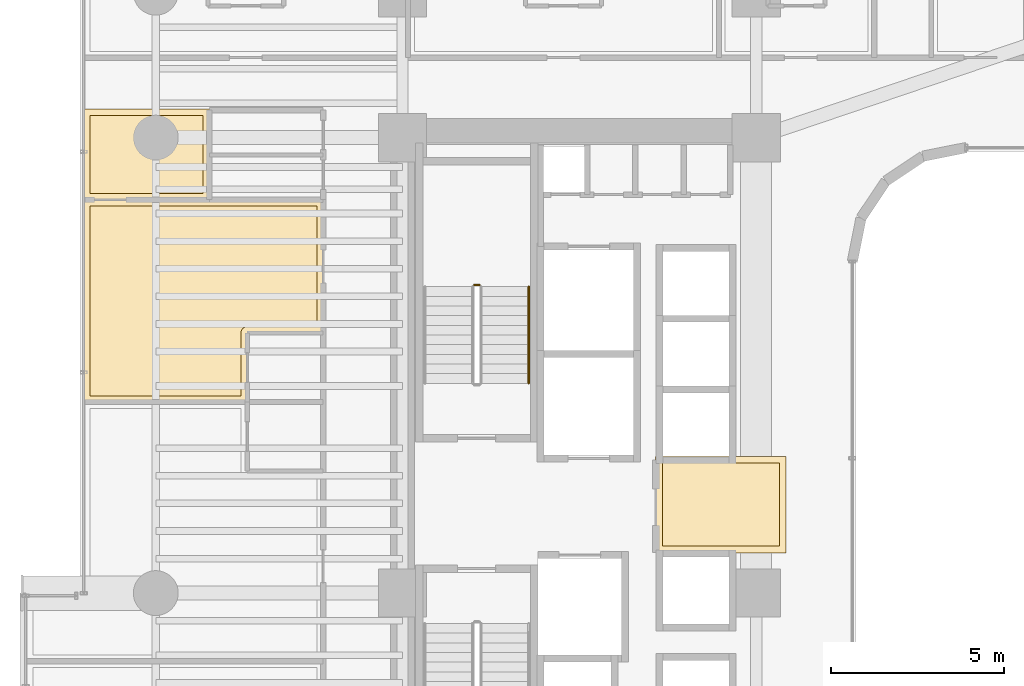
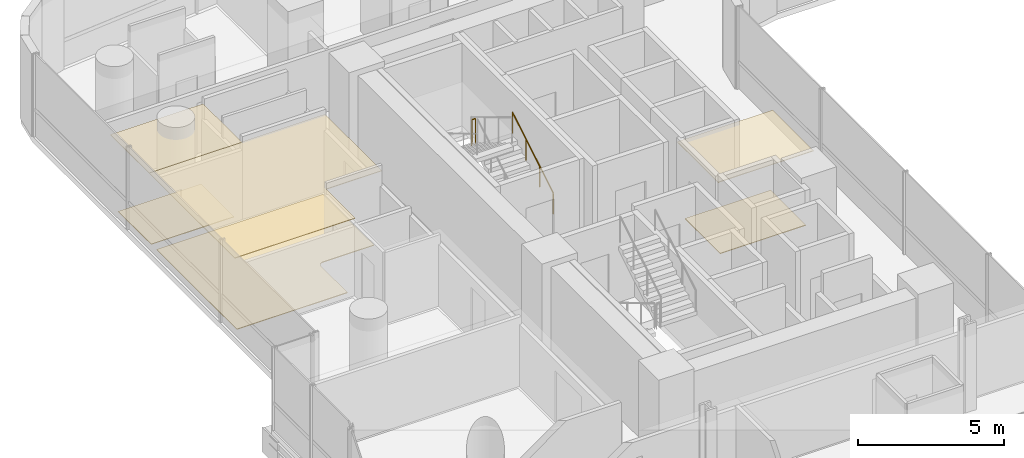
# One storey, part 37 of 40: 6 coverings, 2 railings.
"""IFC4 building model written with IfcOpenShell, lengths in metres."""

from ifc_helpers import new_model, si_unit, direction, frame, origin, origin_2d, place, context, subcontext, project, spatial, polyline, circle, outline, extrude, material, layer, layer_set, type_object, element, save


model = new_model("IFC4")

# Units and contexts
model_context = context("Model", 3, precision=1e-05, world=origin(), true_north=direction((0.0, 1.0)))
body_context = subcontext(model_context, "Body", "Model", "MODEL_VIEW")
ifc_project = project(units=[si_unit("LENGTHUNIT", "METRE"), si_unit("AREAUNIT", "SQUARE_METRE"), si_unit("VOLUMEUNIT", "CUBIC_METRE"), si_unit("PLANEANGLEUNIT", "RADIAN"), si_unit("MASSUNIT", "GRAM", prefix="KILO")], contexts=[model_context])

# Site, building, storey
site_placement = place(None, origin())
site = spatial("IfcSite", under=ifc_project, at=site_placement, CompositionType="ELEMENT")
building_placement = place(site_placement, origin())
building = spatial("IfcBuilding", under=site, at=building_placement, Name="Valdorenza Pilgrim Sanctuary Tower", CompositionType="ELEMENT")
storey_placement = place(building_placement, frame((0.0, 0.0, 92.60009765625)))
storey = spatial("IfcBuildingStorey", under=building, at=storey_placement, Name="L23", CompositionType="ELEMENT", Elevation=92.60009765625)

# Coverings
ifc_material_1 = material(Name="Micro-perforated acoustic mineral ceiling tile", Category="gypsum")
ifc_layer_1 = layer(ifc_material_1, 0.02490234375, Name="Micro-perforated acoustic mineral ceiling tile")
ifc_layer_set_1 = layer_set([ifc_layer_1], Name="Micro-perforated acoustic mineral ceiling tile")
covering_type_1 = type_object("IfcCoveringType", Name="COV-CLG-ACU", PredefinedType="CEILING", material=ifc_layer_set_1)
covering_1_placement = place(storey_placement, frame((0.0, 0.0, 3.159912109375)))
element("IfcCovering", 1, at=covering_1_placement, inside=storey, type_object=covering_type_1, Name="L23 Core A Passenger Lift Lobby Acoustic Ceiling", PredefinedType="CEILING", context=body_context, shape_type="SweptSolid", body=[
    extrude(outline(polyline([(-15.31298828125, 1.244384765625), (-15.31298828125, 1.24462890625), (-15.313720703125, 1.24609375), (-15.314208984375, 1.24755859375), (-15.314697265625, 1.2490234375), (-15.31494140625, 1.25048828125), (-15.31494140625, 1.251953125), (-15.31494140625, 1.35009765625), (-15.31494140625, 1.3515625), (-15.314697265625, 1.352783203125), (-15.314453125, 1.3544921875), (-15.31396484375, 1.355712890625), (-15.313232421875, 1.357177734375), (-15.3125, 1.3583984375), (-15.3115234375, 1.359619140625), (-15.310546875, 1.360595703125), (-15.3095703125, 1.361572265625), (-15.308349609375, 1.362548828125), (-15.30712890625, 1.36328125), (-15.3056640625, 1.364013671875), (-15.304443359375, 1.364501953125), (-15.302978515625, 1.36474609375), (-15.301513671875, 1.364990234375), (-15.300048828125, 1.364990234375), (-15.10205078125, 1.364990234375), (-15.1005859375, 1.364990234375), (-15.09912109375, 1.36474609375), (-15.097412109375, 1.3642578125), (-15.09619140625, 1.36376953125), (-15.0947265625, 1.363037109375), (-15.094482421875, 1.363037109375), (-13.185546875, 1.363037109375), (-13.185302734375, 1.363037109375), (-13.183837890625, 1.36376953125), (-13.1826171875, 1.3642578125), (-13.180908203125, 1.36474609375), (-13.179443359375, 1.364990234375), (-13.177978515625, 1.364990234375), (-11.550048828125, 1.364990234375), (-11.548583984375, 1.364990234375), (-11.547119140625, 1.36474609375), (-11.545654296875, 1.364501953125), (-11.544189453125, 1.364013671875), (-11.54296875, 1.36328125), (-11.541748046875, 1.362548828125), (-11.54052734375, 1.361572265625), (-11.539306640625, 1.360595703125), (-11.538330078125, 1.359619140625), (-11.53759765625, 1.3583984375), (-11.536865234375, 1.357177734375), (-11.5361328125, 1.355712890625), (-11.53564453125, 1.3544921875), (-11.535400390625, 1.352783203125), (-11.53515625, 1.3515625), (-11.534912109375, 1.35009765625), (-11.534912109375, -1.419921875), (-11.53515625, -1.42138671875), (-11.535400390625, -1.4228515625), (-11.53564453125, -1.42431640625), (-11.5361328125, -1.42578125), (-11.536865234375, -1.427001953125), (-11.53759765625, -1.42822265625), (-11.538330078125, -1.429443359375), (-11.539306640625, -1.4306640625), (-11.54052734375, -1.431640625), (-11.541748046875, -1.4326171875), (-11.54296875, -1.43310546875), (-11.544189453125, -1.433837890625), (-11.545654296875, -1.434326171875), (-11.547119140625, -1.434814453125), (-11.548583984375, -1.434814453125), (-11.550048828125, -1.43505859375), (-15.298095703125, -1.43505859375), (-15.299560546875, -1.434814453125), (-15.30078125, -1.434814453125), (-15.302490234375, -1.434326171875), (-15.3037109375, -1.433837890625), (-15.30517578125, -1.43310546875), (-15.306396484375, -1.4326171875), (-15.3076171875, -1.431640625), (-15.30859375, -1.4306640625), (-15.3095703125, -1.429443359375), (-15.310546875, -1.42822265625), (-15.311279296875, -1.427001953125), (-15.31201171875, -1.42578125), (-15.3125, -1.42431640625), (-15.312744140625, -1.4228515625), (-15.31298828125, -1.42138671875), (-15.31298828125, -1.419921875), (-15.31298828125, 1.244384765625)])), origin(), (0.0, 0.0, 1.0), 0.02490234375),
])
covering_2_placement = place(storey_placement, frame((0.0, 0.0, 3.159912109375)))
element("IfcCovering", 2, at=covering_2_placement, inside=storey, type_object=covering_type_1, Name="L23 Pilgrim Scholar Office L23-WN Acoustic Ceiling", PredefinedType="CEILING", context=body_context, shape_type="SweptSolid", body=[
    extrude(outline(polyline([(-28.237060546875, 11.39453125), (-28.237060546875, 10.103759765625), (-28.23681640625, 10.10302734375), (-28.23681640625, 10.1015625), (-28.23681640625, 10.10009765625), (-28.23681640625, 10.098388671875), (-28.237060546875, 10.09814453125), (-28.237060546875, 8.800048828125), (-28.237060546875, 8.798583984375), (-28.2373046875, 8.797119140625), (-28.237548828125, 8.795654296875), (-28.238037109375, 8.794189453125), (-28.23876953125, 8.79296875), (-28.239501953125, 8.791748046875), (-28.240478515625, 8.79052734375), (-28.241455078125, 8.789306640625), (-28.242431640625, 8.788330078125), (-28.24365234375, 8.78759765625), (-28.244873046875, 8.786865234375), (-28.246337890625, 8.7861328125), (-28.24755859375, 8.78564453125), (-28.2490234375, 8.785400390625), (-28.25048828125, 8.78515625), (-28.251953125, 8.784912109375), (-31.889892578125, 8.784912109375), (-31.8916015625, 8.78515625), (-31.892822265625, 8.785400390625), (-31.894287109375, 8.78564453125), (-31.895751953125, 8.7861328125), (-31.897216796875, 8.786865234375), (-31.898193359375, 8.78759765625), (-31.8994140625, 8.788330078125), (-31.900634765625, 8.789306640625), (-31.901611328125, 8.79052734375), (-31.902587890625, 8.791748046875), (-31.9033203125, 8.79296875), (-31.90380859375, 8.794189453125), (-31.904296875, 8.795654296875), (-31.90478515625, 8.797119140625), (-31.90478515625, 8.798583984375), (-31.905029296875, 8.800048828125), (-31.905029296875, 11.419921875), (-31.90478515625, 11.42138671875), (-31.90478515625, 11.4228515625), (-31.904296875, 11.42431640625), (-31.90380859375, 11.42578125), (-31.9033203125, 11.427001953125), (-31.902587890625, 11.42822265625), (-31.901611328125, 11.429443359375), (-31.900634765625, 11.4306640625), (-31.8994140625, 11.431640625), (-31.898193359375, 11.4326171875), (-31.897216796875, 11.43310546875), (-31.895751953125, 11.433837890625), (-31.894287109375, 11.434326171875), (-31.892822265625, 11.434814453125), (-31.8916015625, 11.434814453125), (-31.889892578125, 11.43505859375), (-28.25, 11.43505859375), (-28.24853515625, 11.434814453125), (-28.2470703125, 11.434814453125), (-28.24560546875, 11.434326171875), (-28.244384765625, 11.433837890625), (-28.242919921875, 11.43310546875), (-28.24169921875, 11.4326171875), (-28.240478515625, 11.431640625), (-28.239501953125, 11.4306640625), (-28.23828125, 11.429443359375), (-28.237548828125, 11.42822265625), (-28.23681640625, 11.427001953125), (-28.236083984375, 11.42578125), (-28.235595703125, 11.42431640625), (-28.2353515625, 11.4228515625), (-28.235107421875, 11.42138671875), (-28.235107421875, 11.419921875), (-28.235107421875, 11.402099609375), (-28.235107421875, 11.400390625), (-28.2353515625, 11.39892578125), (-28.235595703125, 11.3974609375), (-28.236083984375, 11.39599609375), (-28.23681640625, 11.394775390625), (-28.237060546875, 11.39453125)])), origin(), (0.0, 0.0, 1.0), 0.02490234375),
])
covering_3_placement = place(storey_placement, frame((0.0, 0.0, 3.159912109375)))
element("IfcCovering", 3, at=covering_3_placement, inside=storey, type_object=covering_type_1, Name="L23 Pilgrim Guest Room L23-HW2 Acoustic Ceiling", PredefinedType="CEILING", context=body_context, shape_type="SweptSolid", body=[
    extrude(outline(polyline([(-28.253662109375, 8.81298828125), (-28.253173828125, 8.81298828125), (-28.25146484375, 8.813232421875), (-28.25, 8.813232421875), (-28.24853515625, 8.81298828125), (-28.248291015625, 8.81298828125), (-24.949951171875, 8.81298828125), (-24.948486328125, 8.81298828125), (-24.947021484375, 8.812744140625), (-24.945556640625, 8.8125), (-24.9443359375, 8.81201171875), (-24.94287109375, 8.811279296875), (-24.941650390625, 8.810546875), (-24.9404296875, 8.8095703125), (-24.939453125, 8.80859375), (-24.9384765625, 8.8076171875), (-24.9375, 8.806396484375), (-24.936767578125, 8.80517578125), (-24.93603515625, 8.8037109375), (-24.935546875, 8.802490234375), (-24.935302734375, 8.80078125), (-24.93505859375, 8.799560546875), (-24.93505859375, 8.798095703125), (-24.93505859375, 4.93798828125), (-24.93505859375, 4.9365234375), (-24.935302734375, 4.93505859375), (-24.935546875, 4.93359375), (-24.93603515625, 4.932373046875), (-24.936767578125, 4.930908203125), (-24.9375, 4.9296875), (-24.9384765625, 4.928466796875), (-24.939453125, 4.927490234375), (-24.9404296875, 4.926513671875), (-24.941650390625, 4.925537109375), (-24.94287109375, 4.9248046875), (-24.9443359375, 4.924072265625), (-24.945556640625, 4.923583984375), (-24.947021484375, 4.92333984375), (-24.948486328125, 4.923095703125), (-24.949951171875, 4.923095703125), (-27.136962890625, 4.923095703125), (-27.136962890625, 2.93798828125), (-27.13720703125, 2.9365234375), (-27.13720703125, 2.93505859375), (-27.1376953125, 2.93359375), (-27.13818359375, 2.932373046875), (-27.138916015625, 2.930908203125), (-27.139404296875, 2.9296875), (-27.140380859375, 2.928466796875), (-27.141357421875, 2.927490234375), (-27.142578125, 2.926513671875), (-27.143798828125, 2.925537109375), (-27.14501953125, 2.9248046875), (-27.146240234375, 2.924072265625), (-27.147705078125, 2.923583984375), (-27.149169921875, 2.92333984375), (-27.150390625, 2.923095703125), (-27.152099609375, 2.923095703125), (-31.889892578125, 2.923095703125), (-31.8916015625, 2.923095703125), (-31.892822265625, 2.92333984375), (-31.894287109375, 2.923583984375), (-31.895751953125, 2.924072265625), (-31.897216796875, 2.9248046875), (-31.898193359375, 2.925537109375), (-31.8994140625, 2.926513671875), (-31.900634765625, 2.927490234375), (-31.901611328125, 2.928466796875), (-31.902587890625, 2.9296875), (-31.9033203125, 2.930908203125), (-31.90380859375, 2.932373046875), (-31.904296875, 2.93359375), (-31.90478515625, 2.93505859375), (-31.90478515625, 2.9365234375), (-31.905029296875, 2.93798828125), (-31.905029296875, 8.798095703125), (-31.90478515625, 8.799560546875), (-31.90478515625, 8.80078125), (-31.904296875, 8.802490234375), (-31.90380859375, 8.8037109375), (-31.9033203125, 8.80517578125), (-31.902587890625, 8.806396484375), (-31.901611328125, 8.8076171875), (-31.900634765625, 8.80859375), (-31.8994140625, 8.8095703125), (-31.898193359375, 8.810546875), (-31.897216796875, 8.811279296875), (-31.895751953125, 8.81201171875), (-31.894287109375, 8.8125), (-31.892822265625, 8.812744140625), (-31.8916015625, 8.81298828125), (-31.889892578125, 8.81298828125), (-28.253662109375, 8.81298828125)])), origin(), (0.0, 0.0, 1.0), 0.02490234375),
])
ifc_material_2 = material(Name="Engineered European oak timber flooring", Category="wood")
ifc_layer_2 = layer(ifc_material_2, 0.02197265625, Name="Engineered European oak timber flooring")
ifc_layer_set_2 = layer_set([ifc_layer_2], Name="Engineered European oak timber flooring")
covering_type_2 = type_object("IfcCoveringType", Name="COV-FLR-OAK", PredefinedType="FLOORING", material=ifc_layer_set_2)
covering_4_placement = place(storey_placement, origin())
element("IfcCovering", 4, at=covering_4_placement, inside=storey, type_object=covering_type_2, Name="L23 Pilgrim Guest Room L23-HW2 Flooring", PredefinedType="FLOORING", context=body_context, shape_type="SweptSolid", body=[
    extrude(outline(polyline([(-28.250244140625, 8.617919921875), (-28.25, 8.617919921875), (-25.1298828125, 8.617919921875), (-25.1298828125, 5.117919921875), (-27.14990234375, 5.117919921875), (-27.15869140625, 5.117919921875), (-27.158935546875, 5.117919921875), (-27.176513671875, 5.115966796875), (-27.1767578125, 5.115966796875), (-27.194091796875, 5.112548828125), (-27.1943359375, 5.112548828125), (-27.211181640625, 5.107421875), (-27.21142578125, 5.107421875), (-27.227783203125, 5.1005859375), (-27.227783203125, 5.1005859375), (-27.243408203125, 5.09228515625), (-27.24365234375, 5.092041015625), (-27.25830078125, 5.082275390625), (-27.258544921875, 5.08203125), (-27.272216796875, 5.07080078125), (-27.272216796875, 5.07080078125), (-27.284912109375, 5.058349609375), (-27.284912109375, 5.05810546875), (-27.296142578125, 5.04443359375), (-27.296142578125, 5.044189453125), (-27.30615234375, 5.029541015625), (-27.30615234375, 5.029541015625), (-27.314453125, 5.013916015625), (-27.314697265625, 5.013671875), (-27.3212890625, 4.997314453125), (-27.3212890625, 4.997314453125), (-27.326416015625, 4.980224609375), (-27.32666015625, 4.97998046875), (-27.330078125, 4.962890625), (-27.330078125, 4.962646484375), (-27.331787109375, 4.945068359375), (-27.331787109375, 4.94482421875), (-27.33203125, 4.93603515625), (-27.33203125, 3.117919921875), (-31.7099609375, 3.117919921875), (-31.7099609375, 8.617919921875), (-28.251953125, 8.617919921875), (-28.2509765625, 8.617919921875), (-28.250244140625, 8.617919921875)])), origin(), (0.0, 0.0, 1.0), 0.02490234375),
])
ifc_material_3 = material(Name="Honed travertine stone flooring", Category="masonry")
ifc_layer_3 = layer(ifc_material_3, 0.030029296875, Name="Honed travertine stone flooring")
ifc_layer_set_3 = layer_set([ifc_layer_3], Name="Honed travertine stone flooring")
covering_type_3 = type_object("IfcCoveringType", Name="COV-FLR-TRV", PredefinedType="FLOORING", material=ifc_layer_set_3)
covering_5_placement = place(storey_placement, origin())
element("IfcCovering", 5, at=covering_5_placement, inside=storey, type_object=covering_type_3, Name="L23 Core A Passenger Lift Lobby Flooring", PredefinedType="FLOORING", context=body_context, shape_type="SweptSolid", body=[
    extrude(outline(polyline([(-15.117919921875, 1.169189453125), (-15.10888671875, 1.168212890625), (-15.10888671875, 1.168212890625), (-15.10009765625, 1.16796875), (-13.179931640625, 1.16796875), (-13.1796875, 1.16796875), (-11.72998046875, 1.169921875), (-11.72998046875, -1.239990234375), (-15.117919921875, -1.239990234375), (-15.117919921875, 1.169189453125)])), origin(), (0.0, 0.0, 1.0), 0.02490234375),
])
covering_6_placement = place(storey_placement, origin())
element("IfcCovering", 6, at=covering_6_placement, inside=storey, type_object=covering_type_3, Name="L23 Pilgrim Scholar Office L23-WN Flooring", PredefinedType="FLOORING", context=body_context, shape_type="SweptSolid", body=[
    extrude(outline(polyline([(-28.431884765625, 11.239990234375), (-28.431884765625, 10.10205078125), (-28.431884765625, 10.10107421875), (-28.431884765625, 10.100341796875), (-28.431884765625, 10.10009765625), (-28.431884765625, 8.97998046875), (-31.7099609375, 8.97998046875), (-31.7099609375, 11.239990234375), (-28.431884765625, 11.239990234375)])), origin(), (0.0, 0.0, 1.0), 0.02490234375),
])

# Railings
ifc_material_4 = material(Name="Stainless steel Grade 316", Category="steel")
railing_type_1 = type_object("IfcRailingType", Name="RLG-GRD-1120", PredefinedType="GUARDRAIL", material=ifc_material_4)
railing_1_placement = place(storey_placement, frame((-20.419921875, 6.330078125, 1.849853515625)))
element("IfcRailing", 7, at=railing_1_placement, inside=storey, type_object=railing_type_1, Name="L23 ST-A1 stair guard 2", PredefinedType="GUARDRAIL", context=body_context, shape_type="SweptSolid", body=[
    extrude(circle(Radius=0.02392578125, at=origin_2d()), frame((0.0, 0.0, 1.076171875), z_axis=(-1.0, 0.0, 0.0), x_axis=(0.0, -1.0, 0.0)), (0.0, 0.0, 1.0), 0.150146484375),
    extrude(circle(Radius=0.02099609375, at=origin_2d()), origin(), (0.0, 0.0, 1.0), 1.052001953125),
    extrude(circle(Radius=0.02099609375, at=origin_2d()), frame((-0.150146484375, 0.0, 0.0)), (0.0, 0.0, 1.0), 1.052001953125),
])
ifc_material_5 = material(Name="Brushed stainless steel Grade 316", Category="steel")
railing_type_2 = type_object("IfcRailingType", Name="RLG-HND-920", PredefinedType="HANDRAIL", material=ifc_material_5)
railing_2_placement = place(storey_placement, frame((-18.989990234375, 3.47998046875, 0.16796875)))
element("IfcRailing", 8, at=railing_2_placement, inside=storey, type_object=railing_type_2, Name="L23 ST-A1 stair handrail 1", PredefinedType="HANDRAIL", context=body_context, shape_type="SweptSolid", body=[
    extrude(circle(Radius=0.02392578125, at=origin_2d()), frame((0.0, 0.0, 0.8759765625), z_axis=(0.0, 0.857242210791, 0.514913383045), x_axis=(-1.0, 0.0, 0.0)), (0.0, 0.0, 1.0), 3.266357421875),
    extrude(circle(Radius=0.02099609375, at=origin_2d()), origin(), (0.0, 0.0, 1.0), 0.851806640625),
    extrude(circle(Radius=0.02099609375, at=origin_2d()), frame((0.0, 0.933349609375, 0.560546875)), (0.0, 0.0, 1.0), 0.851806640625),
    extrude(circle(Radius=0.02099609375, at=origin_2d()), frame((0.0, 1.86669921875, 1.121337890625)), (0.0, 0.0, 1.0), 0.851806640625),
    extrude(circle(Radius=0.02099609375, at=origin_2d()), frame((0.0, 2.800048828125, 1.681884765625)), (0.0, 0.0, 1.0), 0.851806640625),
])

save(model, "model.ifc")
